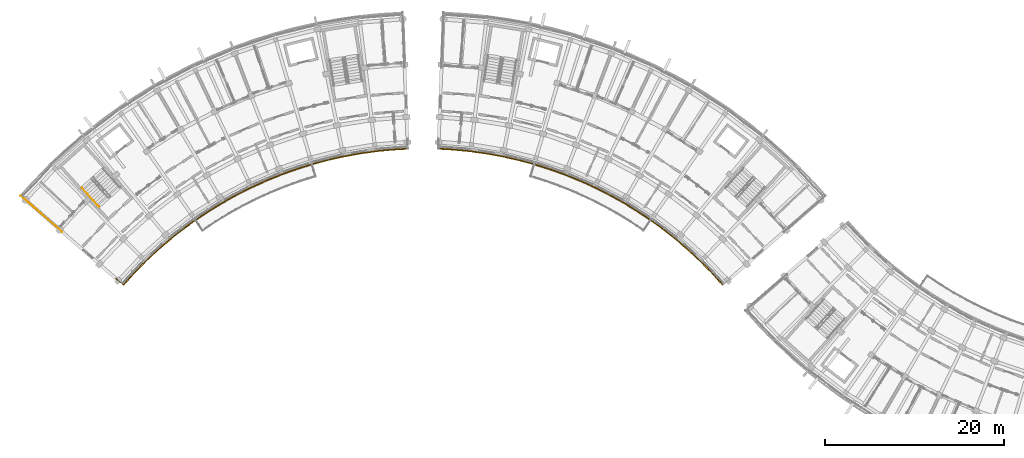
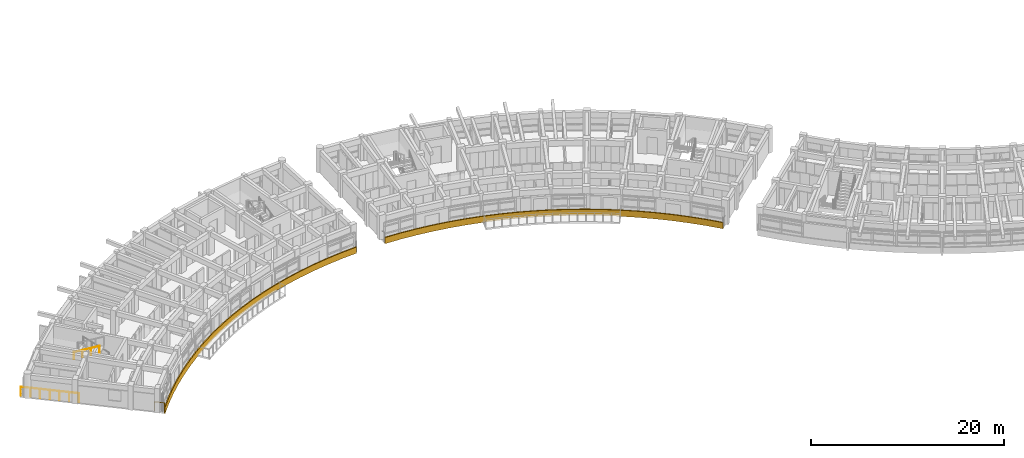
# One storey, part 41 of 56: 5 railings.
"""IFC4 building model written with IfcOpenShell, lengths in metres."""

from ifc_helpers import new_model, si_unit, direction, frame, origin, origin_2d, place, context, subcontext, project, spatial, polyline, circle, outline, extrude, material, type_object, element, save


model = new_model("IFC4")

# Units and contexts
model_context = context("Model", 3, precision=1e-05, world=origin(), true_north=direction((0.0, 1.0)))
body_context = subcontext(model_context, "Body", "Model", "MODEL_VIEW")
ifc_project = project(units=[si_unit("LENGTHUNIT", "METRE"), si_unit("AREAUNIT", "SQUARE_METRE"), si_unit("VOLUMEUNIT", "CUBIC_METRE"), si_unit("PLANEANGLEUNIT", "RADIAN"), si_unit("MASSUNIT", "GRAM", prefix="KILO")], contexts=[model_context])

# Site, building, storey
site_placement = place(None, origin())
site = spatial("IfcSite", under=ifc_project, at=site_placement, CompositionType="ELEMENT")
building_placement = place(site_placement, origin())
building = spatial("IfcBuilding", under=site, at=building_placement, Name="Zimvara Arc Housing Community", CompositionType="ELEMENT")
storey_placement = place(building_placement, frame((0.0, 0.0, 17.39990234375)))
storey = spatial("IfcBuildingStorey", under=building, at=storey_placement, Name="L05", CompositionType="ELEMENT", Elevation=17.39990234375)

# Railings
ifc_material_1 = material(Name="Anodised Aluminium AW-6063", Category="aluminium")
railing_type_1 = type_object("IfcRailingType", Name="RLG-BAL-1150", PredefinedType="BALUSTRADE", material=ifc_material_1)
railing_1_placement = place(storey_placement, frame((11.490966796875, 73.62890625, 0.0)))
element("IfcRailing", 1, at=railing_1_placement, inside=storey, type_object=railing_type_1, Name="rlg:blkA:L05:gable_in:g0", PredefinedType="BALUSTRADE", context=body_context, shape_type="SweptSolid", body=[
    extrude(circle(Radius=0.02392578125, at=origin_2d()), frame((0.0, 0.0, 1.1259765625), z_axis=(-0.754659042762, 0.656117161167, 0.0), x_axis=(-0.656117161167, -0.754659042762, 0.0)), (0.0, 0.0, 1.0), 1.080322265625),
    extrude(circle(Radius=0.02099609375, at=origin_2d()), origin(), (0.0, 0.0, 1.0), 1.101806640625),
    extrude(circle(Radius=0.02099609375, at=origin_2d()), frame((-0.815185546875, 0.708740234375, 0.0)), (0.0, 0.0, 1.0), 1.101806640625),
])
railing_2_placement = place(storey_placement, frame((4.668212890625, 79.559814453125, 0.0)))
element("IfcRailing", 2, at=railing_2_placement, inside=storey, type_object=railing_type_1, Name="rlg:blkA:L05:gable_out:g0", PredefinedType="BALUSTRADE", context=body_context, shape_type="SweptSolid", body=[
    extrude(circle(Radius=0.02392578125, at=origin_2d()), frame((0.0, 0.0, 1.1259765625), z_axis=(-0.754708757217, 0.656059975749, 0.0), x_axis=(-0.656059975749, -0.754708757217, 0.0)), (0.0, 0.0, 1.0), 6.159912109375),
    extrude(circle(Radius=0.02099609375, at=origin_2d()), origin(), (0.0, 0.0, 1.0), 1.101806640625),
    extrude(circle(Radius=0.02099609375, at=origin_2d()), frame((-0.77490234375, 0.673583984375, 0.0)), (0.0, 0.0, 1.0), 1.101806640625),
    extrude(circle(Radius=0.02099609375, at=origin_2d()), frame((-1.549560546875, 1.34716796875, 0.0)), (0.0, 0.0, 1.0), 1.101806640625),
    extrude(circle(Radius=0.02099609375, at=origin_2d()), frame((-2.324462890625, 2.0205078125, 0.0)), (0.0, 0.0, 1.0), 1.101806640625),
    extrude(circle(Radius=0.02099609375, at=origin_2d()), frame((-3.099365234375, 2.694091796875, 0.0)), (0.0, 0.0, 1.0), 1.101806640625),
    extrude(circle(Radius=0.02099609375, at=origin_2d()), frame((-3.8740234375, 3.36767578125, 0.0)), (0.0, 0.0, 1.0), 1.101806640625),
    extrude(circle(Radius=0.02099609375, at=origin_2d()), frame((-4.64892578125, 4.041259765625, 0.0)), (0.0, 0.0, 1.0), 1.101806640625),
])
ifc_material_2 = material(Name="Pale-Gold Anodised Aluminium AW-6063", Category="aluminium")
railing_type_2 = type_object("IfcRailingType", Name="RLG-FAS-780", PredefinedType="BALUSTRADE", material=ifc_material_2)
railing_3_placement = place(storey_placement, frame((0.0, 0.0, -0.219970703125)))
element("IfcRailing", 3, at=railing_3_placement, inside=storey, type_object=railing_type_2, Name="rlg:blkA:L05:gold_in", PredefinedType="BALUSTRADE", context=body_context, shape_type="SweptSolid", body=[
    extrude(outline(polyline([(11.55126953125, 73.576416015625), (12.766357421875, 74.91796875), (14.03515625, 76.208740234375), (15.355712890625, 77.446533203125), (16.7255859375, 78.62939453125), (18.142578125, 79.75537109375), (19.6044921875, 80.822509765625), (21.108642578125, 81.8291015625), (22.652587890625, 82.7734375), (24.234130859375, 83.654052734375), (25.849853515625, 84.46923828125), (27.497802734375, 85.2177734375), (29.1748046875, 85.8984375), (30.87841796875, 86.510009765625), (32.60546875, 87.051513671875), (34.35302734375, 87.522216796875), (36.11865234375, 87.9208984375), (37.898681640625, 88.247314453125), (39.69091796875, 88.5009765625), (41.491943359375, 88.680908203125), (43.298583984375, 88.787353515625), (43.2939453125, 88.9072265625), (41.482421875, 88.800537109375), (39.676513671875, 88.6201171875), (37.879638671875, 88.365966796875), (36.094482421875, 88.03857421875), (34.32421875, 87.638671875), (32.57177734375, 87.166748046875), (30.840087890625, 86.623779296875), (29.132080078125, 86.010498046875), (27.450439453125, 85.328125), (25.798095703125, 84.577392578125), (24.177734375, 83.760009765625), (22.59228515625, 82.877197265625), (21.0439453125, 81.93017578125), (19.53564453125, 80.9208984375), (18.06982421875, 79.850830078125), (16.64892578125, 78.721923828125), (15.275390625, 77.53564453125), (13.951416015625, 76.29443359375), (12.678955078125, 75.000244140625), (11.460693359375, 73.6552734375), (11.55126953125, 73.576416015625)])), origin(), (0.0, 0.0, 1.0), 0.780029296875),
])
railing_4_placement = place(storey_placement, frame((0.0, 0.0, -0.219970703125)))
element("IfcRailing", 4, at=railing_4_placement, inside=storey, type_object=railing_type_2, Name="rlg:blkB:L05:gold_in", PredefinedType="BALUSTRADE", context=body_context, shape_type="SweptSolid", body=[
    extrude(outline(polyline([(46.701416015625, 88.787353515625), (48.508056640625, 88.680908203125), (50.30908203125, 88.5009765625), (52.101318359375, 88.247314453125), (53.88134765625, 87.9208984375), (55.64697265625, 87.522216796875), (57.39453125, 87.051513671875), (59.12158203125, 86.510009765625), (60.8251953125, 85.8984375), (62.502197265625, 85.2177734375), (64.150146484375, 84.46923828125), (65.765869140625, 83.654052734375), (67.347412109375, 82.7734375), (68.891357421875, 81.8291015625), (70.3955078125, 80.822509765625), (71.857421875, 79.75537109375), (73.2744140625, 78.62939453125), (74.644287109375, 77.446533203125), (75.96484375, 76.208740234375), (77.233642578125, 74.91796875), (78.44873046875, 73.576416015625), (78.539306640625, 73.6552734375), (77.321044921875, 75.000244140625), (76.048583984375, 76.29443359375), (74.724609375, 77.53564453125), (73.35107421875, 78.721923828125), (71.93017578125, 79.850830078125), (70.46435546875, 80.9208984375), (68.9560546875, 81.93017578125), (67.40771484375, 82.877197265625), (65.822265625, 83.760009765625), (64.201904296875, 84.577392578125), (62.549560546875, 85.328125), (60.867919921875, 86.010498046875), (59.159912109375, 86.623779296875), (57.42822265625, 87.166748046875), (55.67578125, 87.638671875), (53.905517578125, 88.03857421875), (52.120361328125, 88.365966796875), (50.323486328125, 88.6201171875), (48.517578125, 88.800537109375), (46.7060546875, 88.9072265625), (46.701416015625, 88.787353515625)])), origin(), (0.0, 0.0, 1.0), 0.780029296875),
])
ifc_material_3 = material(Name="Anodised Aluminium AW-6063", Category="aluminium")
railing_type_3 = type_object("IfcRailingType", Name="RLG-HND-900", PredefinedType="HANDRAIL", material=ifc_material_3)
railing_5_placement = place(storey_placement, frame((6.890869140625, 84.476806640625, 1.705078125)))
element("IfcRailing", 5, at=railing_5_placement, inside=storey, type_object=railing_type_3, Name="L05 ST-A1 stair handrail 2", PredefinedType="HANDRAIL", context=body_context, shape_type="SweptSolid", body=[
    extrude(circle(Radius=0.02392578125, at=origin_2d()), frame((0.0, 0.0, 0.8759765625), z_axis=(0.599067985855, -0.665717608404, 0.444901802856), x_axis=(0.743337374551, 0.668916697052, 0.0)), (0.0, 0.0, 1.0), 3.135498046875),
    extrude(circle(Radius=0.02099609375, at=origin_2d()), origin(), (0.0, 0.0, 1.0), 0.851806640625),
    extrude(circle(Radius=0.02099609375, at=origin_2d()), frame((0.626220703125, -0.69580078125, 0.465087890625)), (0.0, 0.0, 1.0), 0.851806640625),
    extrude(circle(Radius=0.02099609375, at=origin_2d()), frame((1.252197265625, -1.3916015625, 0.929931640625)), (0.0, 0.0, 1.0), 0.851806640625),
    extrude(circle(Radius=0.02099609375, at=origin_2d()), frame((1.87841796875, -2.08740234375, 1.39501953125)), (0.0, 0.0, 1.0), 0.851806640625),
])

save(model, "model.ifc")
